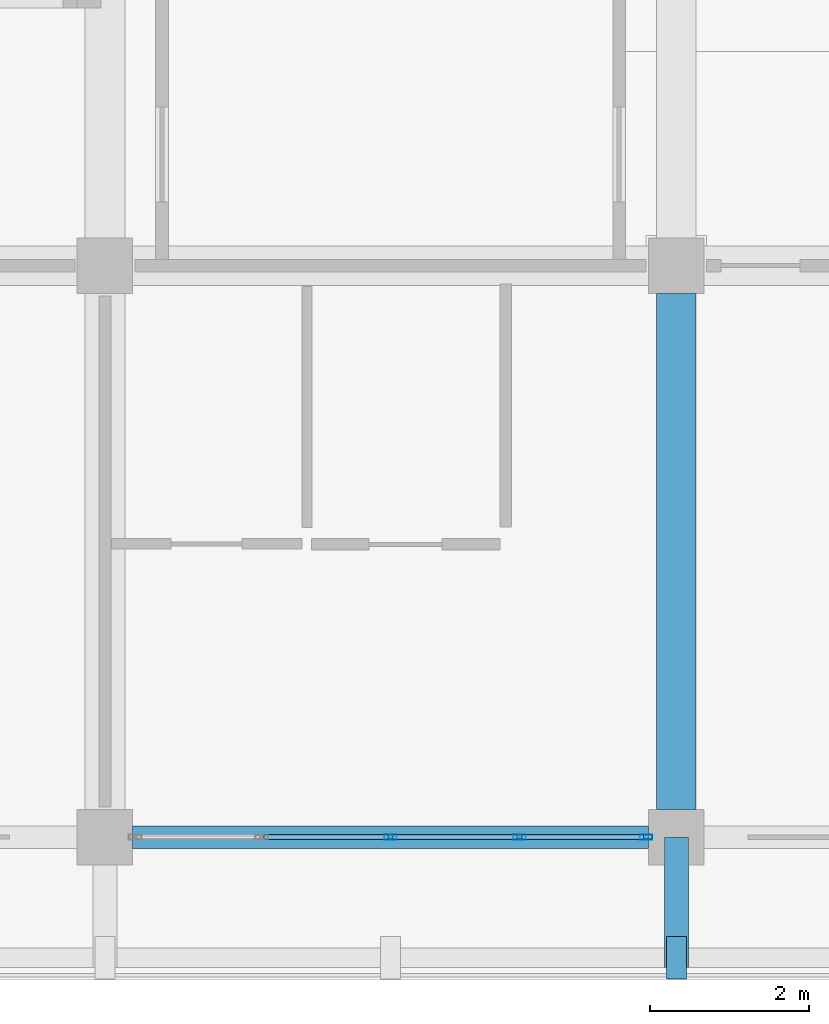
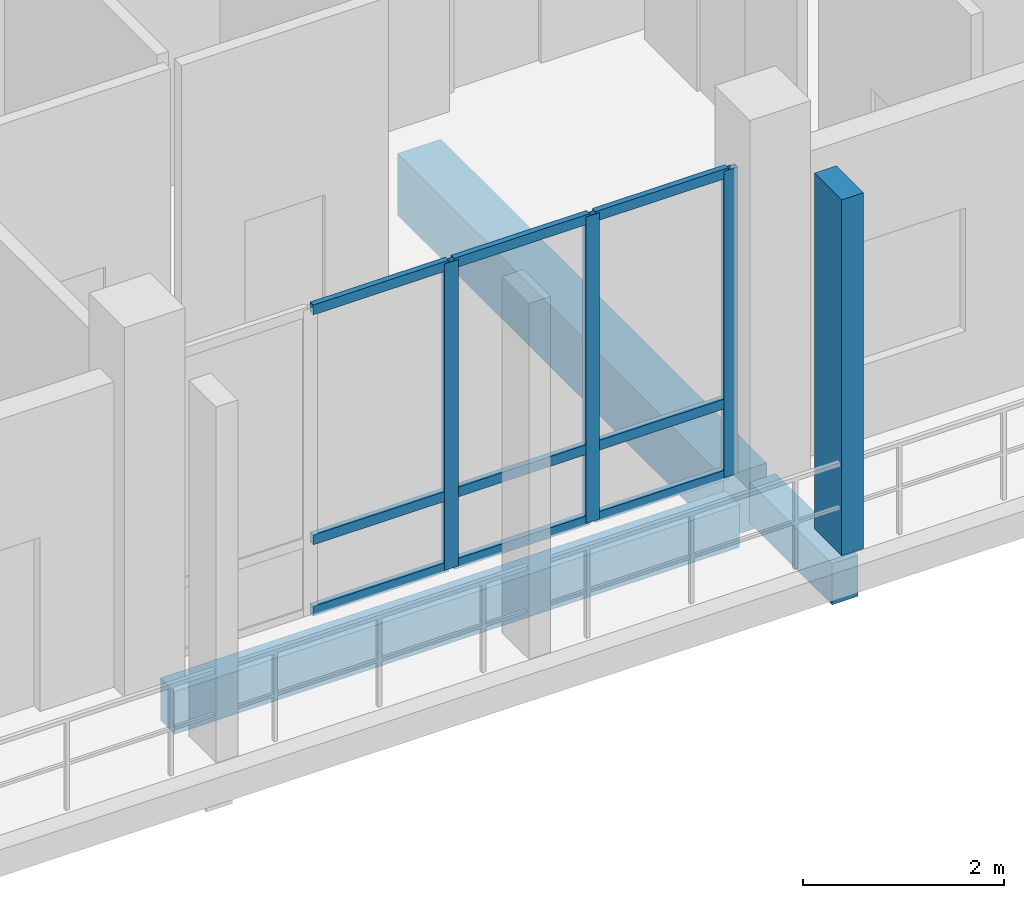
# One storey, part 49 of 110: 13 members, 3 beams, 1 element without a shape of its own.
"""IFC4 building model written with IfcOpenShell, lengths in metres."""

from ifc_helpers import new_model, si_unit, direction, frame, origin, origin_2d, place, context, subcontext, project, spatial, rectangle, hollow_rectangle, extrude, material, material_profile, profile_set, type_object, element, aggregate, save


model = new_model("IFC4")

# Units and contexts
model_context = context("Model", 3, precision=1e-05, world=origin(), true_north=direction((0.0, 1.0)))
body_context = subcontext(model_context, "Body", "Model", "MODEL_VIEW")
ifc_project = project(units=[si_unit("LENGTHUNIT", "METRE"), si_unit("AREAUNIT", "SQUARE_METRE"), si_unit("VOLUMEUNIT", "CUBIC_METRE"), si_unit("PLANEANGLEUNIT", "RADIAN"), si_unit("MASSUNIT", "GRAM", prefix="KILO")], contexts=[model_context])

# Site, building, storey
site_placement = place(None, origin())
site = spatial("IfcSite", under=ifc_project, at=site_placement, CompositionType="ELEMENT")
building_placement = place(site_placement, origin())
building = spatial("IfcBuilding", under=site, at=building_placement, Name="Suanplinth Sawtooth Commons", CompositionType="ELEMENT")
storey_placement = place(building_placement, frame((0.0, 0.0, 4.5)))
storey = spatial("IfcBuildingStorey", under=building, at=storey_placement, Name="L01", CompositionType="ELEMENT", Elevation=4.5)

# Beams
ifc_material_1 = material(Name="Concrete C40/50", Category="concrete")
ifc_material_profile_1 = material_profile(ifc_material_1, rectangle(XDim=0.5, YDim=0.75, at=origin_2d()), Name="RC-GDR 500x750")
ifc_profile_set_1 = profile_set([ifc_material_profile_1], Name="Concrete C40/50")
beam_type_1 = type_object("IfcBeamType", Name="B-03", PredefinedType="USERDEFINED", material=ifc_profile_set_1)
beam_1_placement = place(storey_placement, frame((172.800048828125, 0.35009765625, -0.675048828125), z_axis=(0.0, 1.0, 0.0), x_axis=(-1.0, 0.0, 0.0)))
element("IfcBeam", 1, at=beam_1_placement, inside=storey, type_object=beam_type_1, Name="BMY-L01-C-24-0", ObjectType="GIRDER", PredefinedType="USERDEFINED", context=body_context, shape_type="SweptSolid", body=[
    extrude(rectangle(XDim=0.5, YDim=0.75, at=origin_2d()), origin(), (0.0, 0.0, 1.0), 6.5),
])
ifc_material_2 = material(Name="Precast concrete C40/50", Category="concrete")
ifc_material_profile_2 = material_profile(ifc_material_2, rectangle(XDim=0.300048828125, YDim=0.5, at=origin_2d()), Name="PC-BM 300x500")
ifc_profile_set_2 = profile_set([ifc_material_profile_2], Name="Precast concrete C40/50")
beam_type_2 = type_object("IfcBeamType", Name="B-07", PredefinedType="BEAM", material=ifc_profile_set_2)
beam_2_placement = place(storey_placement, frame((172.800048828125, 0.0, -0.429931640625), z_axis=(0.0, -1.0, 0.0), x_axis=(1.0, 0.0, 0.0)))
element("IfcBeam", 2, at=beam_2_placement, inside=storey, type_object=beam_type_2, Name="Balcony Outrigger L01-C-S-24", PredefinedType="BEAM", context=body_context, shape_type="SweptSolid", body=[
    extrude(rectangle(XDim=0.300048828125, YDim=0.5, at=origin_2d()), origin(), (0.0, 0.0, 1.0), 1.639892578125),
])
ifc_material_profile_3 = material_profile(ifc_material_2, rectangle(XDim=0.280029296875, YDim=0.52001953125, at=origin_2d()), Name="PC-SP 280x520")
ifc_profile_set_3 = profile_set([ifc_material_profile_3], Name="Precast concrete C40/50")
beam_type_3 = type_object("IfcBeamType", Name="B-08", PredefinedType="SPANDREL", material=ifc_profile_set_3)
beam_3_placement = place(storey_placement, frame((165.949951171875, 0.0, -0.56005859375), z_axis=(1.0, 0.0, 0.0), x_axis=(0.0, 1.0, 0.0)))
element("IfcBeam", 3, at=beam_3_placement, inside=storey, type_object=beam_type_3, Name="BMX-L01-C-23-0", PredefinedType="SPANDREL", context=body_context, shape_type="SweptSolid", body=[
    extrude(rectangle(XDim=0.280029296875, YDim=0.52001953125, at=origin_2d()), origin(), (0.0, 0.0, 1.0), 6.5),
])

# Member
ifc_material_3 = material(Name="Pigmented precast concrete C40/50", Category="concrete")
ifc_material_profile_4 = material_profile(ifc_material_3, rectangle(XDim=0.25, YDim=0.5400390625, at=origin_2d()), Name="PC-FIN 250x540")
ifc_profile_set_4 = profile_set([ifc_material_profile_4], Name="Pigmented precast concrete C40/50")
member_type_1 = type_object("IfcMemberType", Name="M-11", PredefinedType="USERDEFINED", material=ifc_profile_set_4)
member_1_placement = place(storey_placement, frame((172.800048828125, -1.52001953125, 0.0), z_axis=(0.0, 0.0, 1.0), x_axis=(1.0, 0.0, 0.0)))
element("IfcMember", 4, at=member_1_placement, inside=storey, type_object=member_type_1, Name="Upright Solar Blade L01-C-S-08", ObjectType="SHADING FIN", PredefinedType="USERDEFINED", context=body_context, shape_type="SweptSolid", body=[
    extrude(rectangle(XDim=0.25, YDim=0.5400390625, at=origin_2d()), origin(), (0.0, 0.0, 1.0), 4.330078125),
])

# Curtain wall, members
ifc_material_4 = material(Name="Anodized aluminium and low-E glazing", Category="aluminium")
curtain_wall_type = type_object("IfcCurtainWallType", Name="CW-06", PredefinedType="USERDEFINED", material=ifc_material_4)
curtain_wall_placement = place(storey_placement, origin())
curtain_wall = element("IfcCurtainWall", 5, at=curtain_wall_placement, inside=storey, type_object=curtain_wall_type, Name="Curtain Wall CW-L01-C-LOUNGE-23", ObjectType="CURTAIN WALL", PredefinedType="USERDEFINED")
ifc_material_5 = material(Name="Anodized aluminium 6063-T6", Category="aluminium")
ifc_material_profile_5 = material_profile(ifc_material_5, hollow_rectangle(XDim=0.06494140625, YDim=0.159912109375, WallThickness=0.00390625, at=origin_2d()), Name="ALU-MUL 65x160")
ifc_profile_set_5 = profile_set([ifc_material_profile_5], Name="Anodized aluminium 6063-T6")
member_type_2 = type_object("IfcMemberType", Name="M-13", PredefinedType="MULLION", material=ifc_profile_set_5)
member_2_placement = place(storey_placement, frame((169.199951171875, 0.0, 0.0), z_axis=(0.0, 0.0, 1.0), x_axis=(0.0, 1.0, 0.0)))
member_2 = element("IfcMember", 6, at=member_2_placement, type_object=member_type_2, Name="CW-06 mullion 3", PredefinedType="MULLION", context=body_context, shape_type="SweptSolid", body=[
    extrude(hollow_rectangle(XDim=0.06494140625, YDim=0.159912109375, WallThickness=0.00390625, at=origin_2d()), origin(), (0.0, 0.0, 1.0), 3.72998046875),
])
member_3_placement = place(storey_placement, frame((170.824951171875, 0.0, 0.0), z_axis=(0.0, 0.0, 1.0), x_axis=(0.0, 1.0, 0.0)))
member_3 = element("IfcMember", 7, at=member_3_placement, type_object=member_type_2, Name="CW-06 mullion 4", PredefinedType="MULLION", context=body_context, shape_type="SweptSolid", body=[
    extrude(hollow_rectangle(XDim=0.06494140625, YDim=0.159912109375, WallThickness=0.00390625, at=origin_2d()), origin(), (0.0, 0.0, 1.0), 3.72998046875),
])
member_4_placement = place(storey_placement, frame((172.41748046875, 0.0, 0.0), z_axis=(0.0, 0.0, 1.0), x_axis=(0.0, 1.0, 0.0)))
member_4 = element("IfcMember", 8, at=member_4_placement, type_object=member_type_2, Name="CW-06 mullion 5", PredefinedType="MULLION", context=body_context, shape_type="SweptSolid", body=[
    extrude(hollow_rectangle(XDim=0.06494140625, YDim=0.159912109375, WallThickness=0.00390625, at=origin_2d()), origin(), (0.0, 0.0, 1.0), 3.72998046875),
])
ifc_material_profile_6 = material_profile(ifc_material_5, hollow_rectangle(XDim=0.06494140625, YDim=0.1201171875, WallThickness=0.00390625, at=origin_2d()), Name="ALU-TRN 65x120")
ifc_profile_set_6 = profile_set([ifc_material_profile_6], Name="Anodized aluminium 6063-T6")
member_type_3 = type_object("IfcMemberType", Name="M-15", PredefinedType="USERDEFINED", material=ifc_profile_set_6)
member_5_placement = place(storey_placement, frame((167.607421875, 0.0, 0.032470703125), z_axis=(1.0, 0.0, 0.0), x_axis=(0.0, 1.0, 0.0)))
member_5 = element("IfcMember", 9, at=member_5_placement, type_object=member_type_3, Name="CW-06 transom 2.1", ObjectType="TRANSOM", PredefinedType="USERDEFINED", context=body_context, shape_type="SweptSolid", body=[
    extrude(hollow_rectangle(XDim=0.06494140625, YDim=0.1201171875, WallThickness=0.00390625, at=origin_2d()), origin(), (0.0, 0.0, 1.0), 1.56005859375),
])
member_6_placement = place(storey_placement, frame((167.607421875, 0.0, 0.89990234375), z_axis=(1.0, 0.0, 0.0), x_axis=(0.0, 1.0, 0.0)))
member_6 = element("IfcMember", 10, at=member_6_placement, type_object=member_type_3, Name="CW-06 transom 2.2", ObjectType="TRANSOM", PredefinedType="USERDEFINED", context=body_context, shape_type="SweptSolid", body=[
    extrude(hollow_rectangle(XDim=0.06494140625, YDim=0.1201171875, WallThickness=0.00390625, at=origin_2d()), origin(), (0.0, 0.0, 1.0), 1.56005859375),
])
member_7_placement = place(storey_placement, frame((167.607421875, 0.0, 3.697509765625), z_axis=(1.0, 0.0, 0.0), x_axis=(0.0, 1.0, 0.0)))
member_7 = element("IfcMember", 11, at=member_7_placement, type_object=member_type_3, Name="CW-06 transom 2.3", ObjectType="TRANSOM", PredefinedType="USERDEFINED", context=body_context, shape_type="SweptSolid", body=[
    extrude(hollow_rectangle(XDim=0.06494140625, YDim=0.1201171875, WallThickness=0.00390625, at=origin_2d()), origin(), (0.0, 0.0, 1.0), 1.56005859375),
])
member_8_placement = place(storey_placement, frame((169.232421875, 0.0, 0.032470703125), z_axis=(1.0, 0.0, 0.0), x_axis=(0.0, 1.0, 0.0)))
member_8 = element("IfcMember", 12, at=member_8_placement, type_object=member_type_3, Name="CW-06 transom 3.1", ObjectType="TRANSOM", PredefinedType="USERDEFINED", context=body_context, shape_type="SweptSolid", body=[
    extrude(hollow_rectangle(XDim=0.06494140625, YDim=0.1201171875, WallThickness=0.00390625, at=origin_2d()), origin(), (0.0, 0.0, 1.0), 1.56005859375),
])
member_9_placement = place(storey_placement, frame((169.232421875, 0.0, 0.89990234375), z_axis=(1.0, 0.0, 0.0), x_axis=(0.0, 1.0, 0.0)))
member_9 = element("IfcMember", 13, at=member_9_placement, type_object=member_type_3, Name="CW-06 transom 3.2", ObjectType="TRANSOM", PredefinedType="USERDEFINED", context=body_context, shape_type="SweptSolid", body=[
    extrude(hollow_rectangle(XDim=0.06494140625, YDim=0.1201171875, WallThickness=0.00390625, at=origin_2d()), origin(), (0.0, 0.0, 1.0), 1.56005859375),
])
member_10_placement = place(storey_placement, frame((169.232421875, 0.0, 3.697509765625), z_axis=(1.0, 0.0, 0.0), x_axis=(0.0, 1.0, 0.0)))
member_10 = element("IfcMember", 14, at=member_10_placement, type_object=member_type_3, Name="CW-06 transom 3.3", ObjectType="TRANSOM", PredefinedType="USERDEFINED", context=body_context, shape_type="SweptSolid", body=[
    extrude(hollow_rectangle(XDim=0.06494140625, YDim=0.1201171875, WallThickness=0.00390625, at=origin_2d()), origin(), (0.0, 0.0, 1.0), 1.56005859375),
])
member_11_placement = place(storey_placement, frame((170.857421875, 0.0, 0.032470703125), z_axis=(1.0, 0.0, 0.0), x_axis=(0.0, 1.0, 0.0)))
member_11 = element("IfcMember", 15, at=member_11_placement, type_object=member_type_3, Name="CW-06 transom 4.1", ObjectType="TRANSOM", PredefinedType="USERDEFINED", context=body_context, shape_type="SweptSolid", body=[
    extrude(hollow_rectangle(XDim=0.06494140625, YDim=0.1201171875, WallThickness=0.00390625, at=origin_2d()), origin(), (0.0, 0.0, 1.0), 1.527587890625),
])
member_12_placement = place(storey_placement, frame((170.857421875, 0.0, 0.89990234375), z_axis=(1.0, 0.0, 0.0), x_axis=(0.0, 1.0, 0.0)))
member_12 = element("IfcMember", 16, at=member_12_placement, type_object=member_type_3, Name="CW-06 transom 4.2", ObjectType="TRANSOM", PredefinedType="USERDEFINED", context=body_context, shape_type="SweptSolid", body=[
    extrude(hollow_rectangle(XDim=0.06494140625, YDim=0.1201171875, WallThickness=0.00390625, at=origin_2d()), origin(), (0.0, 0.0, 1.0), 1.527587890625),
])
member_13_placement = place(storey_placement, frame((170.857421875, 0.0, 3.697509765625), z_axis=(1.0, 0.0, 0.0), x_axis=(0.0, 1.0, 0.0)))
member_13 = element("IfcMember", 17, at=member_13_placement, type_object=member_type_3, Name="CW-06 transom 4.3", ObjectType="TRANSOM", PredefinedType="USERDEFINED", context=body_context, shape_type="SweptSolid", body=[
    extrude(hollow_rectangle(XDim=0.06494140625, YDim=0.1201171875, WallThickness=0.00390625, at=origin_2d()), origin(), (0.0, 0.0, 1.0), 1.527587890625),
])
aggregate(curtain_wall, [member_2, member_3, member_4, member_5, member_6, member_7, member_8, member_9, member_10, member_11, member_12, member_13])

save(model, "model.ifc")
